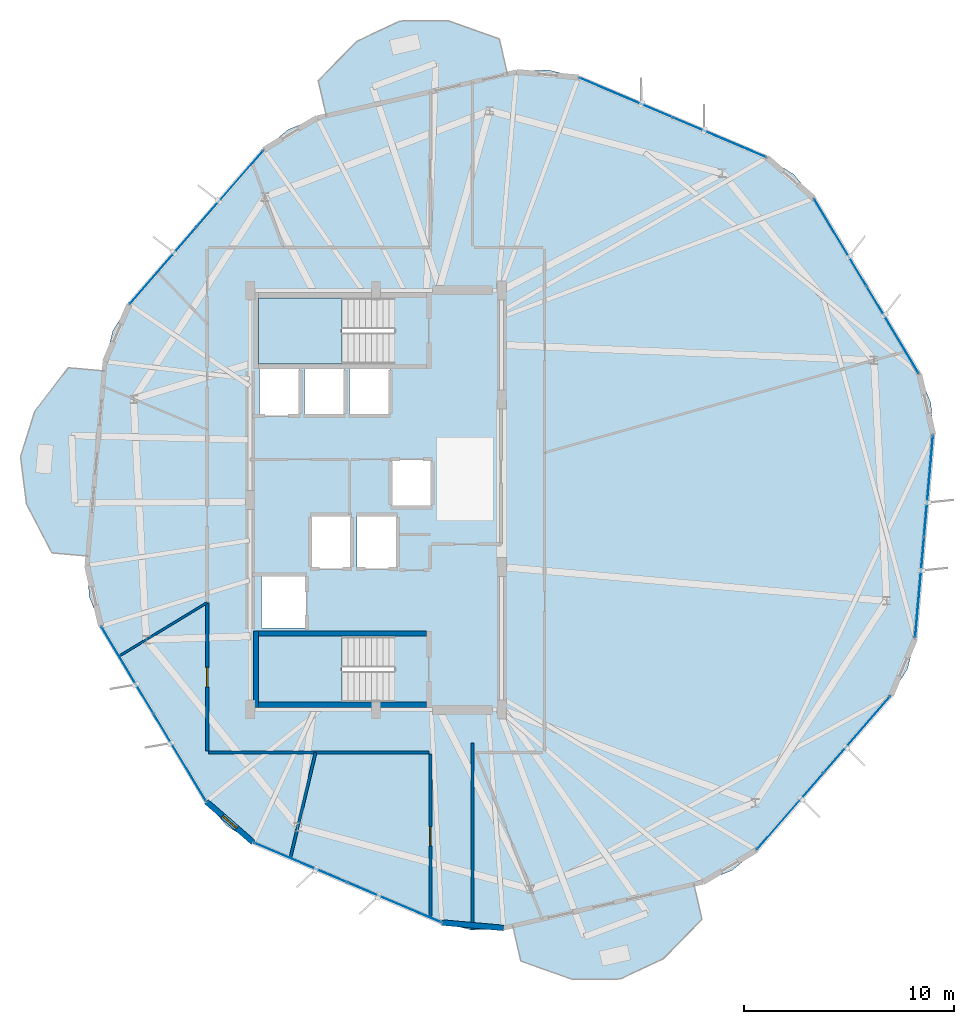
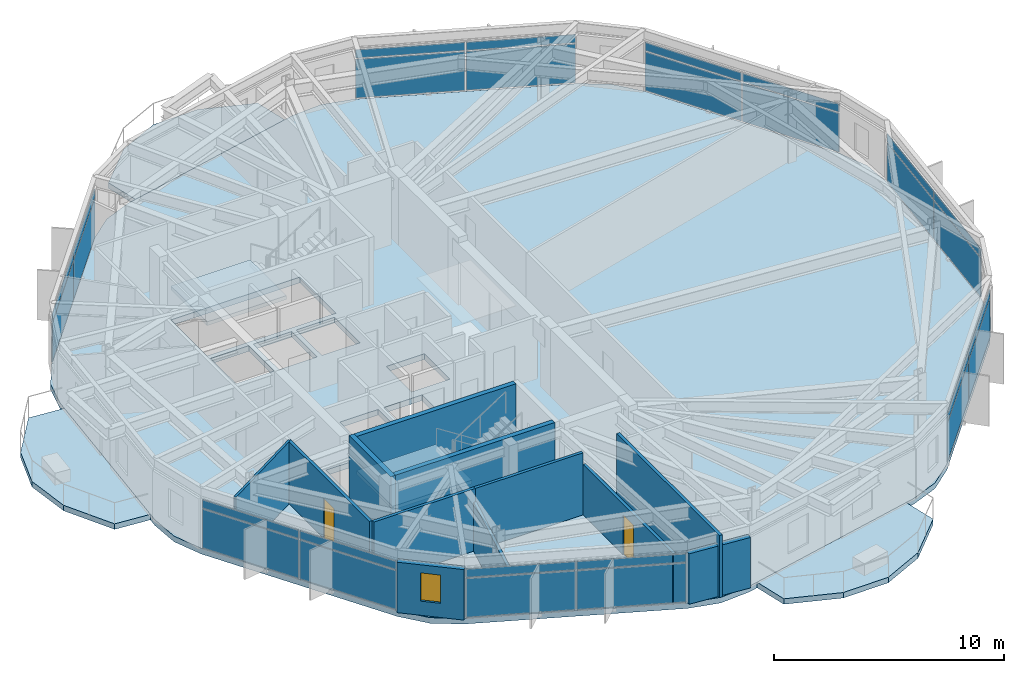
# One storey, part 21 of 27: 28 plates, 12 walls, 6 slabs, 2 doors, 1 window, 3 openings, 9 elements without a shape of their own.
"""IFC4 building model written with IfcOpenShell, lengths in metres."""

from ifc_helpers import new_model, si_unit, direction, frame, frame_2d, origin, origin_2d, place, context, subcontext, project, spatial, polyline, rectangle, outline, extrude, material, layer, layer_set, type_object, element, fill, aggregate, save


model = new_model("IFC4")

# Units and contexts
model_context = context("Model", 3, precision=1e-05, world=origin(), true_north=direction((0.0, 1.0)))
body_context = subcontext(model_context, "Body", "Model", "MODEL_VIEW")
ifc_project = project(units=[si_unit("LENGTHUNIT", "METRE"), si_unit("AREAUNIT", "SQUARE_METRE"), si_unit("VOLUMEUNIT", "CUBIC_METRE"), si_unit("PLANEANGLEUNIT", "RADIAN"), si_unit("MASSUNIT", "GRAM", prefix="KILO")], contexts=[model_context])

# Site, building, storey
site_placement = place(None, origin())
site = spatial("IfcSite", under=ifc_project, at=site_placement, CompositionType="ELEMENT")
building_placement = place(site_placement, origin())
building = spatial("IfcBuilding", under=site, at=building_placement, Name="Soratama Intermodal Tower", CompositionType="ELEMENT")
storey_placement = place(building_placement, frame((0.0, 0.0, 212.199951171875)))
storey = spatial("IfcBuildingStorey", under=building, at=storey_placement, Name="L53", CompositionType="ELEMENT", Elevation=212.199951171875)

# Curtain wall, plates
ifc_material_1 = material(Name="Double-glazed aluminium curtain wall", Category="aluminium")
ifc_layer_1 = layer(ifc_material_1, 0.159912109375)
ifc_layer_set_1 = layer_set([ifc_layer_1], Name="Double-glazed aluminium curtain wall")
curtain_wall_type = type_object("IfcCurtainWallType", Name="CW-SYS-5", PredefinedType="NOTDEFINED", material=ifc_layer_set_1)
curtain_wall_1_placement = place(storey_placement, origin())
curtain_wall_1 = element("IfcCurtainWall", 1, at=curtain_wall_1_placement, inside=storey, type_object=curtain_wall_type, Name="L53 Faceted Curtain Wall F01", PredefinedType="NOTDEFINED")
ifc_material_2 = material(Name="Low-E laminated double glazing", Category="glass")
ifc_layer_2 = layer(ifc_material_2, 0.02001953125)
ifc_layer_set_2 = layer_set([ifc_layer_2], Name="Low-E laminated double glazing")
plate_type = type_object("IfcPlateType", Name="PT-CWP-5", PredefinedType="CURTAIN_PANEL", material=ifc_layer_set_2)
plate_1_placement = place(storey_placement, frame((54.99560546875, 42.30078125, 0.06005859375), z_axis=(0.0, 0.0, 1.0), x_axis=(-0.920230657211, 0.391376465221, 0.0)))
plate_1 = element("IfcPlate", 2, at=plate_1_placement, type_object=plate_type, Name="CW-5 panel 1.1", PredefinedType="CURTAIN_PANEL", context=body_context, shape_type="SweptSolid", body=[
    extrude(rectangle(XDim=4.79443359375, YDim=0.028076171875, at=origin_2d()), origin(), (0.0, 0.0, 1.0), 2.06005859375),
])
plate_2_placement = place(storey_placement, frame((54.99560546875, 42.30078125, 2.18017578125), z_axis=(0.0, 0.0, 1.0), x_axis=(-0.920230657211, 0.391376465221, 0.0)))
plate_2 = element("IfcPlate", 3, at=plate_2_placement, type_object=plate_type, Name="CW-5 panel 1.2", PredefinedType="CURTAIN_PANEL", context=body_context, shape_type="SweptSolid", body=[
    extrude(rectangle(XDim=4.79443359375, YDim=0.028076171875, at=origin_2d()), origin(), (0.0, 0.0, 1.0), 0.43896484375),
])
plate_3_placement = place(storey_placement, frame((50.5283203125, 44.20068359375, 0.06005859375), z_axis=(0.0, 0.0, 1.0), x_axis=(-0.920230657211, 0.391376465221, 0.0)))
plate_3 = element("IfcPlate", 4, at=plate_3_placement, type_object=plate_type, Name="CW-5 panel 2.1", PredefinedType="CURTAIN_PANEL", context=body_context, shape_type="SweptSolid", body=[
    extrude(rectangle(XDim=4.79443359375, YDim=0.028076171875, at=origin_2d()), origin(), (0.0, 0.0, 1.0), 2.06005859375),
])
plate_4_placement = place(storey_placement, frame((50.5283203125, 44.20068359375, 2.18017578125), z_axis=(0.0, 0.0, 1.0), x_axis=(-0.920230657211, 0.391376465221, 0.0)))
plate_4 = element("IfcPlate", 5, at=plate_4_placement, type_object=plate_type, Name="CW-5 panel 2.2", PredefinedType="CURTAIN_PANEL", context=body_context, shape_type="SweptSolid", body=[
    extrude(rectangle(XDim=4.79443359375, YDim=0.028076171875, at=origin_2d()), origin(), (0.0, 0.0, 1.0), 0.43896484375),
])
aggregate(curtain_wall_1, [plate_1, plate_2, plate_3, plate_4])

curtain_wall_2_placement = place(storey_placement, origin())
curtain_wall_2 = element("IfcCurtainWall", 6, at=curtain_wall_2_placement, inside=storey, type_object=curtain_wall_type, Name="L53 Faceted Curtain Wall F03", PredefinedType="NOTDEFINED")
plate_5_placement = place(storey_placement, frame((31.634765625, 39.8525390625, 0.06005859375), z_axis=(0.0, 0.0, 1.0), x_axis=(-0.656584876768, -0.754252145903, 0.0)))
plate_5 = element("IfcPlate", 7, at=plate_5_placement, type_object=plate_type, Name="CW-5 panel 1.1", PredefinedType="CURTAIN_PANEL", context=body_context, shape_type="SweptSolid", body=[
    extrude(rectangle(XDim=4.79443359375, YDim=0.028076171875, at=origin_2d()), origin(), (0.0, 0.0, 1.0), 2.06005859375),
])
plate_6_placement = place(storey_placement, frame((31.634765625, 39.8525390625, 2.18017578125), z_axis=(0.0, 0.0, 1.0), x_axis=(-0.656584876768, -0.754252145903, 0.0)))
plate_6 = element("IfcPlate", 8, at=plate_6_placement, type_object=plate_type, Name="CW-5 panel 1.2", PredefinedType="CURTAIN_PANEL", context=body_context, shape_type="SweptSolid", body=[
    extrude(rectangle(XDim=4.79443359375, YDim=0.028076171875, at=origin_2d()), origin(), (0.0, 0.0, 1.0), 0.43896484375),
])
plate_7_placement = place(storey_placement, frame((28.447509765625, 36.191162109375, 0.06005859375), z_axis=(0.0, 0.0, 1.0), x_axis=(-0.656584876768, -0.754252145903, 0.0)))
plate_7 = element("IfcPlate", 9, at=plate_7_placement, type_object=plate_type, Name="CW-5 panel 2.1", PredefinedType="CURTAIN_PANEL", context=body_context, shape_type="SweptSolid", body=[
    extrude(rectangle(XDim=4.79443359375, YDim=0.028076171875, at=origin_2d()), origin(), (0.0, 0.0, 1.0), 2.06005859375),
])
plate_8_placement = place(storey_placement, frame((28.447509765625, 36.191162109375, 2.18017578125), z_axis=(0.0, 0.0, 1.0), x_axis=(-0.656584876768, -0.754252145903, 0.0)))
plate_8 = element("IfcPlate", 10, at=plate_8_placement, type_object=plate_type, Name="CW-5 panel 2.2", PredefinedType="CURTAIN_PANEL", context=body_context, shape_type="SweptSolid", body=[
    extrude(rectangle(XDim=4.79443359375, YDim=0.028076171875, at=origin_2d()), origin(), (0.0, 0.0, 1.0), 0.43896484375),
])
aggregate(curtain_wall_2, [plate_5, plate_6, plate_7, plate_8])

curtain_wall_3_placement = place(storey_placement, origin())
curtain_wall_3 = element("IfcCurtainWall", 11, at=curtain_wall_3_placement, inside=storey, type_object=curtain_wall_type, Name="L53 Faceted Curtain Wall F05", PredefinedType="NOTDEFINED")
plate_9_placement = place(storey_placement, frame((26.744140625, 16.878662109375, 0.06005859375), z_axis=(0.0, 0.0, 1.0), x_axis=(0.514438549948, -0.857527246406, 0.0)))
plate_9 = element("IfcPlate", 12, at=plate_9_placement, type_object=plate_type, Name="CW-5 panel 1.1", PredefinedType="CURTAIN_PANEL", context=body_context, shape_type="SweptSolid", body=[
    extrude(rectangle(XDim=4.79443359375, YDim=0.028076171875, at=origin_2d()), origin(), (0.0, 0.0, 1.0), 2.06005859375),
])
plate_10_placement = place(storey_placement, frame((26.744140625, 16.878662109375, 2.18017578125), z_axis=(0.0, 0.0, 1.0), x_axis=(0.514438549948, -0.857527246406, 0.0)))
plate_10 = element("IfcPlate", 13, at=plate_10_placement, type_object=plate_type, Name="CW-5 panel 1.2", PredefinedType="CURTAIN_PANEL", context=body_context, shape_type="SweptSolid", body=[
    extrude(rectangle(XDim=4.79443359375, YDim=0.028076171875, at=origin_2d()), origin(), (0.0, 0.0, 1.0), 0.43896484375),
])
plate_11_placement = place(storey_placement, frame((29.241455078125, 12.7158203125, 0.06005859375), z_axis=(0.0, 0.0, 1.0), x_axis=(0.514438549948, -0.857527246406, 0.0)))
plate_11 = element("IfcPlate", 14, at=plate_11_placement, type_object=plate_type, Name="CW-5 panel 2.1", PredefinedType="CURTAIN_PANEL", context=body_context, shape_type="SweptSolid", body=[
    extrude(rectangle(XDim=4.79443359375, YDim=0.028076171875, at=origin_2d()), origin(), (0.0, 0.0, 1.0), 2.06005859375),
])
plate_12_placement = place(storey_placement, frame((29.241455078125, 12.7158203125, 2.18017578125), z_axis=(0.0, 0.0, 1.0), x_axis=(0.514438549948, -0.857527246406, 0.0)))
plate_12 = element("IfcPlate", 15, at=plate_12_placement, type_object=plate_type, Name="CW-5 panel 2.2", PredefinedType="CURTAIN_PANEL", context=body_context, shape_type="SweptSolid", body=[
    extrude(rectangle(XDim=4.79443359375, YDim=0.028076171875, at=origin_2d()), origin(), (0.0, 0.0, 1.0), 0.43896484375),
])
aggregate(curtain_wall_3, [plate_9, plate_10, plate_11, plate_12])

curtain_wall_4_placement = place(storey_placement, origin())
curtain_wall_4 = element("IfcCurtainWall", 16, at=curtain_wall_4_placement, inside=storey, type_object=curtain_wall_type, Name="L53 Faceted Curtain Wall F06", PredefinedType="NOTDEFINED")
plate_13_placement = place(storey_placement, frame((35.00439453125, 7.69921875, 0.06005859375), z_axis=(0.0, 0.0, 1.0), x_axis=(0.920230657211, -0.391376465221, 0.0)))
plate_13 = element("IfcPlate", 17, at=plate_13_placement, type_object=plate_type, Name="CW-5 panel 1.1", PredefinedType="CURTAIN_PANEL", context=body_context, shape_type="SweptSolid", body=[
    extrude(rectangle(XDim=4.79443359375, YDim=0.028076171875, at=origin_2d()), origin(), (0.0, 0.0, 1.0), 2.06005859375),
])
plate_14_placement = place(storey_placement, frame((35.00439453125, 7.69921875, 2.18017578125), z_axis=(0.0, 0.0, 1.0), x_axis=(0.920230657211, -0.391376465221, 0.0)))
plate_14 = element("IfcPlate", 18, at=plate_14_placement, type_object=plate_type, Name="CW-5 panel 1.2", PredefinedType="CURTAIN_PANEL", context=body_context, shape_type="SweptSolid", body=[
    extrude(rectangle(XDim=4.79443359375, YDim=0.028076171875, at=origin_2d()), origin(), (0.0, 0.0, 1.0), 0.43896484375),
])
plate_15_placement = place(storey_placement, frame((39.4716796875, 5.79931640625, 0.06005859375), z_axis=(0.0, 0.0, 1.0), x_axis=(0.920230657211, -0.391376465221, 0.0)))
plate_15 = element("IfcPlate", 19, at=plate_15_placement, type_object=plate_type, Name="CW-5 panel 2.1", PredefinedType="CURTAIN_PANEL", context=body_context, shape_type="SweptSolid", body=[
    extrude(rectangle(XDim=4.79443359375, YDim=0.028076171875, at=origin_2d()), origin(), (0.0, 0.0, 1.0), 2.06005859375),
])
plate_16_placement = place(storey_placement, frame((39.4716796875, 5.79931640625, 2.18017578125), z_axis=(0.0, 0.0, 1.0), x_axis=(0.920230657211, -0.391376465221, 0.0)))
plate_16 = element("IfcPlate", 20, at=plate_16_placement, type_object=plate_type, Name="CW-5 panel 2.2", PredefinedType="CURTAIN_PANEL", context=body_context, shape_type="SweptSolid", body=[
    extrude(rectangle(XDim=4.79443359375, YDim=0.028076171875, at=origin_2d()), origin(), (0.0, 0.0, 1.0), 0.43896484375),
])
aggregate(curtain_wall_4, [plate_13, plate_14, plate_15, plate_16])

curtain_wall_5_placement = place(storey_placement, origin())
curtain_wall_5 = element("IfcCurtainWall", 21, at=curtain_wall_5_placement, inside=storey, type_object=curtain_wall_type, Name="L53 Faceted Curtain Wall F08", PredefinedType="NOTDEFINED")
plate_17_placement = place(storey_placement, frame((58.365234375, 10.1474609375, 0.06005859375), z_axis=(0.0, 0.0, 1.0), x_axis=(0.656584876768, 0.754252145903, 0.0)))
plate_17 = element("IfcPlate", 22, at=plate_17_placement, type_object=plate_type, Name="CW-5 panel 1.1", PredefinedType="CURTAIN_PANEL", context=body_context, shape_type="SweptSolid", body=[
    extrude(rectangle(XDim=4.79443359375, YDim=0.028076171875, at=origin_2d()), origin(), (0.0, 0.0, 1.0), 2.06005859375),
])
plate_18_placement = place(storey_placement, frame((58.365234375, 10.1474609375, 2.18017578125), z_axis=(0.0, 0.0, 1.0), x_axis=(0.656584876768, 0.754252145903, 0.0)))
plate_18 = element("IfcPlate", 23, at=plate_18_placement, type_object=plate_type, Name="CW-5 panel 1.2", PredefinedType="CURTAIN_PANEL", context=body_context, shape_type="SweptSolid", body=[
    extrude(rectangle(XDim=4.79443359375, YDim=0.028076171875, at=origin_2d()), origin(), (0.0, 0.0, 1.0), 0.43896484375),
])
plate_19_placement = place(storey_placement, frame((61.552490234375, 13.808837890625, 0.06005859375), z_axis=(0.0, 0.0, 1.0), x_axis=(0.656584876768, 0.754252145903, 0.0)))
plate_19 = element("IfcPlate", 24, at=plate_19_placement, type_object=plate_type, Name="CW-5 panel 2.1", PredefinedType="CURTAIN_PANEL", context=body_context, shape_type="SweptSolid", body=[
    extrude(rectangle(XDim=4.79443359375, YDim=0.028076171875, at=origin_2d()), origin(), (0.0, 0.0, 1.0), 2.06005859375),
])
plate_20_placement = place(storey_placement, frame((61.552490234375, 13.808837890625, 2.18017578125), z_axis=(0.0, 0.0, 1.0), x_axis=(0.656584876768, 0.754252145903, 0.0)))
plate_20 = element("IfcPlate", 25, at=plate_20_placement, type_object=plate_type, Name="CW-5 panel 2.2", PredefinedType="CURTAIN_PANEL", context=body_context, shape_type="SweptSolid", body=[
    extrude(rectangle(XDim=4.79443359375, YDim=0.028076171875, at=origin_2d()), origin(), (0.0, 0.0, 1.0), 0.43896484375),
])
aggregate(curtain_wall_5, [plate_17, plate_18, plate_19, plate_20])

curtain_wall_6_placement = place(storey_placement, origin())
curtain_wall_6 = element("IfcCurtainWall", 26, at=curtain_wall_6_placement, inside=storey, type_object=curtain_wall_type, Name="L53 Faceted Curtain Wall F09", PredefinedType="NOTDEFINED")
plate_21_placement = place(storey_placement, frame((64.54296875, 20.83984375, 0.06005859375), z_axis=(0.0, 0.0, 1.0), x_axis=(0.087850491382, 0.996133671333, 0.0)))
plate_21 = element("IfcPlate", 27, at=plate_21_placement, type_object=plate_type, Name="CW-5 panel 1.1", PredefinedType="CURTAIN_PANEL", context=body_context, shape_type="SweptSolid", body=[
    extrude(rectangle(XDim=4.79443359375, YDim=0.028076171875, at=origin_2d()), origin(), (0.0, 0.0, 1.0), 2.06005859375),
])
plate_22_placement = place(storey_placement, frame((64.54296875, 20.83984375, 2.18017578125), z_axis=(0.0, 0.0, 1.0), x_axis=(0.087850491382, 0.996133671333, 0.0)))
plate_22 = element("IfcPlate", 28, at=plate_22_placement, type_object=plate_type, Name="CW-5 panel 1.2", PredefinedType="CURTAIN_PANEL", context=body_context, shape_type="SweptSolid", body=[
    extrude(rectangle(XDim=4.79443359375, YDim=0.028076171875, at=origin_2d()), origin(), (0.0, 0.0, 1.0), 0.43896484375),
])
plate_23_placement = place(storey_placement, frame((64.96923828125, 25.675537109375, 0.06005859375), z_axis=(0.0, 0.0, 1.0), x_axis=(0.087850491382, 0.996133671333, 0.0)))
plate_23 = element("IfcPlate", 29, at=plate_23_placement, type_object=plate_type, Name="CW-5 panel 2.1", PredefinedType="CURTAIN_PANEL", context=body_context, shape_type="SweptSolid", body=[
    extrude(rectangle(XDim=4.79443359375, YDim=0.028076171875, at=origin_2d()), origin(), (0.0, 0.0, 1.0), 2.06005859375),
])
plate_24_placement = place(storey_placement, frame((64.96923828125, 25.675537109375, 2.18017578125), z_axis=(0.0, 0.0, 1.0), x_axis=(0.087850491382, 0.996133671333, 0.0)))
plate_24 = element("IfcPlate", 30, at=plate_24_placement, type_object=plate_type, Name="CW-5 panel 2.2", PredefinedType="CURTAIN_PANEL", context=body_context, shape_type="SweptSolid", body=[
    extrude(rectangle(XDim=4.79443359375, YDim=0.028076171875, at=origin_2d()), origin(), (0.0, 0.0, 1.0), 0.43896484375),
])
aggregate(curtain_wall_6, [plate_21, plate_22, plate_23, plate_24])

curtain_wall_7_placement = place(storey_placement, origin())
curtain_wall_7 = element("IfcCurtainWall", 31, at=curtain_wall_7_placement, inside=storey, type_object=curtain_wall_type, Name="L53 Faceted Curtain Wall F10", PredefinedType="NOTDEFINED")
plate_25_placement = place(storey_placement, frame((63.255859375, 33.121337890625, 0.06005859375), z_axis=(0.0, 0.0, 1.0), x_axis=(-0.514438549948, 0.857527246406, 0.0)))
plate_25 = element("IfcPlate", 32, at=plate_25_placement, type_object=plate_type, Name="CW-5 panel 1.1", PredefinedType="CURTAIN_PANEL", context=body_context, shape_type="SweptSolid", body=[
    extrude(rectangle(XDim=4.79443359375, YDim=0.028076171875, at=origin_2d()), origin(), (0.0, 0.0, 1.0), 2.06005859375),
])
plate_26_placement = place(storey_placement, frame((63.255859375, 33.121337890625, 2.18017578125), z_axis=(0.0, 0.0, 1.0), x_axis=(-0.514438549948, 0.857527246406, 0.0)))
plate_26 = element("IfcPlate", 33, at=plate_26_placement, type_object=plate_type, Name="CW-5 panel 1.2", PredefinedType="CURTAIN_PANEL", context=body_context, shape_type="SweptSolid", body=[
    extrude(rectangle(XDim=4.79443359375, YDim=0.028076171875, at=origin_2d()), origin(), (0.0, 0.0, 1.0), 0.43896484375),
])
plate_27_placement = place(storey_placement, frame((60.758544921875, 37.2841796875, 0.06005859375), z_axis=(0.0, 0.0, 1.0), x_axis=(-0.514438549948, 0.857527246406, 0.0)))
plate_27 = element("IfcPlate", 34, at=plate_27_placement, type_object=plate_type, Name="CW-5 panel 2.1", PredefinedType="CURTAIN_PANEL", context=body_context, shape_type="SweptSolid", body=[
    extrude(rectangle(XDim=4.79443359375, YDim=0.028076171875, at=origin_2d()), origin(), (0.0, 0.0, 1.0), 2.06005859375),
])
plate_28_placement = place(storey_placement, frame((60.758544921875, 37.2841796875, 2.18017578125), z_axis=(0.0, 0.0, 1.0), x_axis=(-0.514438549948, 0.857527246406, 0.0)))
plate_28 = element("IfcPlate", 35, at=plate_28_placement, type_object=plate_type, Name="CW-5 panel 2.2", PredefinedType="CURTAIN_PANEL", context=body_context, shape_type="SweptSolid", body=[
    extrude(rectangle(XDim=4.79443359375, YDim=0.028076171875, at=origin_2d()), origin(), (0.0, 0.0, 1.0), 0.43896484375),
])
aggregate(curtain_wall_7, [plate_25, plate_26, plate_27, plate_28])

# Slabs
ifc_material_3 = material(Name="Concrete f'c 42 MPa", Category="concrete")
ifc_layer_3 = layer(ifc_material_3, 0.2900390625)
ifc_layer_set_3 = layer_set([ifc_layer_3], Name="Concrete f'c 42 MPa")
slab_type_1 = type_object("IfcSlabType", Name="SL-EXT-BAL2", PredefinedType="FLOOR", material=ifc_layer_set_3)
slab_1_placement = place(storey_placement, frame((0.0, 0.0, -0.2900390625)))
element("IfcSlab", 36, at=slab_1_placement, inside=storey, type_object=slab_type_1, Name="L53 Planted Balcony North 1", PredefinedType="FLOOR", context=body_context, shape_type="SweptSolid", body=[
    extrude(outline(polyline([(44.87353515625, 45.322021484375), (36.230712890625, 43.3330078125), (35.844970703125, 45.00927734375), (37.688232421875, 46.885498046875), (39.740234375, 47.855224609375), (42.009765625, 47.880126953125), (44.48779296875, 46.998291015625), (44.87353515625, 45.322021484375)])), origin(), (0.0, 0.0, 1.0), 0.2900390625),
])
slab_2_placement = place(storey_placement, frame((0.0, 0.0, -0.2900390625)))
element("IfcSlab", 37, at=slab_2_placement, inside=storey, type_object=slab_type_1, Name="L53 Planted Balcony West 2", PredefinedType="FLOOR", context=body_context, shape_type="SweptSolid", body=[
    extrude(outline(polyline([(25.633544921875, 31.15966796875), (24.854248046875, 22.3251953125), (23.14111328125, 22.476318359375), (21.926025390625, 24.80908203125), (21.637939453125, 27.060302734375), (22.315673828125, 29.226318359375), (23.920166015625, 31.310791015625), (25.633544921875, 31.15966796875)])), origin(), (0.0, 0.0, 1.0), 0.2900390625),
])
slab_3_placement = place(storey_placement, frame((0.0, 0.0, -0.2900390625)))
element("IfcSlab", 38, at=slab_3_placement, inside=storey, type_object=slab_type_1, Name="L53 Planted Balcony South 3", PredefinedType="FLOOR", context=body_context, shape_type="SweptSolid", body=[
    extrude(outline(polyline([(45.12646484375, 4.677978515625), (53.769287109375, 6.6669921875), (54.155029296875, 4.99072265625), (52.311767578125, 3.114501953125), (50.259765625, 2.144775390625), (47.990234375, 2.119873046875), (45.51220703125, 3.001708984375), (45.12646484375, 4.677978515625)])), origin(), (0.0, 0.0, 1.0), 0.2900390625),
])

# Stair, slab
ifc_material_4 = material(Name="Concrete f'c 42 MPa", Category="concrete")
stair_type = type_object("IfcStairType", Name="ST-CORE-DOGLEG", PredefinedType="HALF_TURN_STAIR", material=ifc_material_4)
stair_1_placement = place(storey_placement, origin())
stair_1 = element("IfcStair", 39, at=stair_1_placement, inside=storey, type_object=stair_type, Name="L53 ST-1", PredefinedType="HALF_TURN_STAIR")
ifc_material_5 = material(Name="Concrete f'c 42 MPa", Category="concrete")
ifc_layer_4 = layer(ifc_material_5, 0.219970703125)
ifc_layer_set_4 = layer_set([ifc_layer_4], Name="Concrete f'c 42 MPa")
slab_type_2 = type_object("IfcSlabType", Name="SL-STAIR-LAND", PredefinedType="LANDING", material=ifc_layer_set_4)
slab_4_placement = place(storey_placement, frame((0.0, 0.0, 1.60009765625)))
slab_4 = element("IfcSlab", 40, at=slab_4_placement, type_object=slab_type_2, Name="ST-1 landing 1", PredefinedType="LANDING", context=body_context, shape_type="SweptSolid", body=[
    extrude(outline(polyline([(36.97998046875, 18.5), (33.0, 18.5), (33.0, 15.35009765625), (36.97998046875, 15.35009765625), (36.97998046875, 18.5)])), origin(), (0.0, 0.0, 1.0), 0.199951171875),
])
aggregate(stair_1, [slab_4])

stair_2_placement = place(storey_placement, origin())
stair_2 = element("IfcStair", 41, at=stair_2_placement, inside=storey, type_object=stair_type, Name="L53 ST-2", PredefinedType="HALF_TURN_STAIR")
slab_5_placement = place(storey_placement, frame((0.0, 0.0, 1.60009765625)))
slab_5 = element("IfcSlab", 42, at=slab_5_placement, type_object=slab_type_2, Name="ST-2 landing 1", PredefinedType="LANDING", context=body_context, shape_type="SweptSolid", body=[
    extrude(outline(polyline([(36.97998046875, 34.64990234375), (33.0, 34.64990234375), (33.0, 31.5), (36.97998046875, 31.5), (36.97998046875, 34.64990234375)])), origin(), (0.0, 0.0, 1.0), 0.199951171875),
])
aggregate(stair_2, [slab_5])

# Slab
ifc_material_6 = material(Name="Concrete f'c 42 MPa", Category="concrete")
ifc_layer_5 = layer(ifc_material_6, 0.280029296875)
ifc_layer_set_5 = layer_set([ifc_layer_5], Name="Concrete f'c 42 MPa")
slab_type_3 = type_object("IfcSlabType", Name="SL-TWR-280", PredefinedType="FLOOR", material=ifc_layer_set_5)
slab_6_placement = place(storey_placement, frame((0.0, 0.0, -0.300048828125)))
element("IfcSlab", 43, at=slab_6_placement, inside=storey, type_object=slab_type_3, Name="L53 Structural Floor Slab", PredefinedType="FLOOR", context=body_context, shape_type="SweptSolid", body=[
    extrude(outline(polyline([(59.494384765625, 39.391357421875), (58.52978515625, 40.54248046875), (57.2568359375, 41.339111328125), (48.26708984375, 45.162353515625), (46.810302734375, 45.526611328125), (45.31201171875, 45.423095703125), (35.7919921875, 43.232177734375), (34.3994140625, 42.67041015625), (33.248291015625, 41.7060546875), (26.833984375, 34.337890625), (26.037353515625, 33.064697265625), (25.673095703125, 31.60791015625), (24.814697265625, 21.876708984375), (24.91845703125, 20.378662109375), (25.47998046875, 18.98583984375), (30.505615234375, 10.608642578125), (31.47021484375, 9.45751953125), (32.7431640625, 8.660888671875), (41.73291015625, 4.837646484375), (43.189697265625, 4.473388671875), (44.68798828125, 4.576904296875), (54.2080078125, 6.767822265625), (55.6005859375, 7.32958984375), (56.751708984375, 8.2939453125), (63.166015625, 15.662109375), (63.962646484375, 16.935302734375), (64.326904296875, 18.39208984375), (65.185302734375, 28.123291015625), (65.08154296875, 29.621337890625), (64.52001953125, 31.01416015625), (59.494384765625, 39.391357421875)]), holes=[polyline([(33.0, 18.5), (33.0, 15.35009765625), (39.47509765625, 15.35009765625), (39.47509765625, 18.5), (33.0, 18.5)]), polyline([(35.260009765625, 21.409912109375), (33.139892578125, 21.409912109375), (33.139892578125, 18.889892578125), (35.260009765625, 18.889892578125), (35.260009765625, 21.409912109375)]), polyline([(37.409912109375, 24.260009765625), (35.489990234375, 24.260009765625), (35.489990234375, 21.739990234375), (37.409912109375, 21.739990234375), (37.409912109375, 24.260009765625)]), polyline([(39.610107421875, 24.260009765625), (37.68994140625, 24.260009765625), (37.68994140625, 21.739990234375), (39.610107421875, 21.739990234375), (39.610107421875, 24.260009765625)]), polyline([(41.260009765625, 26.909912109375), (39.340087890625, 26.909912109375), (39.340087890625, 24.68994140625), (41.260009765625, 24.68994140625), (41.260009765625, 26.909912109375)]), polyline([(34.9599609375, 31.260009765625), (33.0400390625, 31.260009765625), (33.0400390625, 29.0400390625), (34.9599609375, 29.0400390625), (34.9599609375, 31.260009765625)]), polyline([(37.110107421875, 31.260009765625), (35.18994140625, 31.260009765625), (35.18994140625, 29.0400390625), (37.110107421875, 29.0400390625), (37.110107421875, 31.260009765625)]), polyline([(39.260009765625, 29.0400390625), (39.260009765625, 31.260009765625), (37.340087890625, 31.260009765625), (37.340087890625, 29.0400390625), (39.260009765625, 29.0400390625)]), polyline([(39.47509765625, 34.64990234375), (33.0, 34.64990234375), (33.0, 31.5), (39.47509765625, 31.5), (39.47509765625, 34.64990234375)])]), origin(), (0.0, 0.0, 1.0), 0.300048828125),
])

# Wall, opening, window
ifc_material_7 = material(Name="Concrete f'c 42 MPa", Category="concrete")
ifc_layer_6 = layer(ifc_material_7, 0.27001953125)
ifc_layer_set_6 = layer_set([ifc_layer_6], Name="Concrete f'c 42 MPa")
wall_type_1 = type_object("IfcWallType", Name="EW-CRN-270", PredefinedType="SOLIDWALL", material=ifc_layer_set_6)
wall_1_placement = place(storey_placement, frame((30.505615234375, 10.608642578125, 0.0), z_axis=(0.0, 0.0, 1.0), x_axis=(0.754261698008, -0.656573903623, 0.0)))
wall_1 = element("IfcWall", 44, at=wall_1_placement, inside=storey, type_object=wall_type_1, Name="L53 Corner Closure Wall 05", PredefinedType="SOLIDWALL", context=body_context, shape_type="SweptSolid", body=[
    extrude(rectangle(XDim=2.966552734375, YDim=0.27001953125, at=frame_2d((1.4833984375, 0.0))), origin(), (0.0, 0.0, 1.0), 2.678955078125),
])
opening_1_placement = place(wall_1_placement, frame((1.033203125, 0.0, 0.75)))
opening_1 = element("IfcOpeningElement", 45, at=opening_1_placement, cuts=wall_1, Name="Opening WN-6", PredefinedType="OPENING", context=body_context, shape_type="SweptSolid", body=[
    extrude(rectangle(XDim=0.89990234375, YDim=1.5, at=frame_2d((0.449951171875, 0.75))), frame((0.0, 0.14501953125, 0.0), z_axis=(0.0, -1.0, 0.0), x_axis=(1.0, 0.0, 0.0)), (0.0, 0.0, 1.0), 0.2900390625),
])
ifc_material_8 = material(Name="Double-glazed aluminium window", Category="aluminium")
window_type = type_object("IfcWindowType", Name="WN-FAC-900", PartitioningType="SINGLE_PANEL", PredefinedType="WINDOW", material=ifc_material_8)
window_placement = place(opening_1_placement, origin())
window = element("IfcWindow", 46, at=window_placement, inside=storey, type_object=window_type, Name="L53 Corner Window 05", OverallHeight=1.5, OverallWidth=0.89990234375, PartitioningType="SINGLE_PANEL", PredefinedType="WINDOW", context=body_context, shape_type="SweptSolid", body=[
    extrude(rectangle(XDim=0.89990234375, YDim=1.5, at=frame_2d((0.449951171875, 0.75))), frame((0.0, 0.030029296875, 0.0), z_axis=(0.0, -1.0, 0.0), x_axis=(1.0, 0.0, 0.0)), (0.0, 0.0, 1.0), 0.06005859375),
])
fill(opening_1, window)

# Wall
wall_2_placement = place(storey_placement, frame((41.73291015625, 4.837646484375, 0.0), z_axis=(0.0, 0.0, 1.0), x_axis=(0.996129850025, -0.087893810296, 0.0)))
element("IfcWall", 47, at=wall_2_placement, inside=storey, type_object=wall_type_1, Name="L53 Corner Closure Wall 06", PredefinedType="SOLIDWALL", context=body_context, shape_type="SweptSolid", body=[
    extrude(rectangle(XDim=2.966552734375, YDim=0.27001953125, at=frame_2d((1.4833984375, 0.0))), origin(), (0.0, 0.0, 1.0), 2.678955078125),
])

# Wall, opening, door
ifc_material_9 = material(Name="Fire-rated gypsum stud partition", Category="concrete")
ifc_layer_7 = layer(ifc_material_9, 0.14990234375)
ifc_layer_set_7 = layer_set([ifc_layer_7], Name="Fire-rated gypsum stud partition")
wall_type_2 = type_object("IfcWallType", Name="IW-PART-R150", PredefinedType="PARTITIONING", material=ifc_layer_set_7)
wall_3_placement = place(storey_placement, frame((41.199951171875, 5.06396484375, 0.0), z_axis=(0.0, 0.0, 1.0), x_axis=(0.0, 1.0, 0.0)))
wall_3 = element("IfcWall", 48, at=wall_3_placement, inside=storey, type_object=wall_type_2, Name="L53 Partition W-L53-TP007", PredefinedType="PARTITIONING", context=body_context, shape_type="SweptSolid", body=[
    extrude(rectangle(XDim=7.81591796875, YDim=0.14990234375, at=frame_2d((3.907958984375, 0.0))), origin(), (0.0, 0.0, 1.0), 2.677978515625),
])
opening_2_placement = place(wall_3_placement, frame((3.43310546875, 0.0, 0.0)))
opening_2 = element("IfcOpeningElement", 49, at=opening_2_placement, cuts=wall_3, Name="Opening ID-6", PredefinedType="OPENING", context=body_context, shape_type="SweptSolid", body=[
    extrude(rectangle(XDim=0.919921875, YDim=2.1201171875, at=frame_2d((0.4599609375, 1.06005859375))), frame((0.0, 0.0849609375, 0.0), z_axis=(0.0, -1.0, 0.0), x_axis=(1.0, 0.0, 0.0)), (0.0, 0.0, 1.0), 0.169921875),
])
ifc_material_10 = material(Name="Solid hardwood acoustic door", Category="wood")
door_type = type_object("IfcDoorType", Name="DR-ROOM-920", OperationType="NOTDEFINED", PredefinedType="DOOR", material=ifc_material_10)
door_1_placement = place(opening_2_placement, origin())
door_1 = element("IfcDoor", 50, at=door_1_placement, inside=storey, type_object=door_type, Name="L53 Door D-L53-TP004", OperationType="SINGLE_SWING_LEFT", OverallHeight=2.1201171875, OverallWidth=0.919921875, PredefinedType="DOOR", context=body_context, shape_type="SweptSolid", body=[
    extrude(rectangle(XDim=0.919921875, YDim=2.1201171875, at=frame_2d((0.4599609375, 1.06005859375))), frame((0.0, 0.02490234375, 0.0), z_axis=(0.0, -1.0, 0.0), x_axis=(1.0, 0.0, 0.0)), (0.0, 0.0, 1.0), 0.050048828125),
])
fill(opening_2, door_1)

wall_4_placement = place(storey_placement, frame((30.550048828125, 13.02001953125, 0.0), z_axis=(0.0, 0.0, 1.0), x_axis=(0.0, 1.0, 0.0)))
wall_4 = element("IfcWall", 51, at=wall_4_placement, inside=storey, type_object=wall_type_2, Name="L53 Partition W-L53-TP009", PredefinedType="PARTITIONING", context=body_context, shape_type="SweptSolid", body=[
    extrude(rectangle(XDim=7.0859375, YDim=0.14990234375, at=frame_2d((3.54296875, 0.0))), origin(), (0.0, 0.0, 1.0), 3.300048828125),
])
opening_3_placement = place(wall_4_placement, frame((3.068115234375, 0.0, 0.0)))
opening_3 = element("IfcOpeningElement", 52, at=opening_3_placement, cuts=wall_4, Name="Opening ID-6", PredefinedType="OPENING", context=body_context, shape_type="SweptSolid", body=[
    extrude(rectangle(XDim=0.919921875, YDim=2.1201171875, at=frame_2d((0.4599609375, 1.06005859375))), frame((0.0, 0.0849609375, 0.0), z_axis=(0.0, -1.0, 0.0), x_axis=(1.0, 0.0, 0.0)), (0.0, 0.0, 1.0), 0.169921875),
])
door_2_placement = place(opening_3_placement, origin())
door_2 = element("IfcDoor", 53, at=door_2_placement, inside=storey, type_object=door_type, Name="L53 Door D-L53-TP006", OperationType="SINGLE_SWING_LEFT", OverallHeight=2.1201171875, OverallWidth=0.919921875, PredefinedType="DOOR", context=body_context, shape_type="SweptSolid", body=[
    extrude(rectangle(XDim=0.919921875, YDim=2.1201171875, at=frame_2d((0.4599609375, 1.06005859375))), frame((0.0, 0.02490234375, 0.0), z_axis=(0.0, -1.0, 0.0), x_axis=(1.0, 0.0, 0.0)), (0.0, 0.0, 1.0), 0.050048828125),
])
fill(opening_3, door_2)

# Walls
wall_5_placement = place(storey_placement, frame((41.1298828125, 12.949951171875, 0.0), z_axis=(0.0, 0.0, 1.0), x_axis=(-1.0, 0.0, 0.0)))
element("IfcWall", 54, at=wall_5_placement, inside=storey, type_object=wall_type_2, Name="L53 Partition W-L53-TP012", PredefinedType="PARTITIONING", context=body_context, shape_type="SweptSolid", body=[
    extrude(rectangle(XDim=5.410888671875, YDim=0.14990234375, at=frame_2d((2.70556640625, 0.0))), origin(), (0.0, 0.0, 1.0), 3.300048828125),
])
wall_6_placement = place(storey_placement, frame((35.718994140625, 12.949951171875, 0.0), z_axis=(0.0, 0.0, 1.0), x_axis=(-1.0, 0.0, 0.0)))
element("IfcWall", 55, at=wall_6_placement, inside=storey, type_object=wall_type_2, Name="L53 Partition W-L53-TP015", PredefinedType="PARTITIONING", context=body_context, shape_type="SweptSolid", body=[
    extrude(rectangle(XDim=5.098876953125, YDim=0.14990234375, at=frame_2d((2.54931640625, 0.0))), origin(), (0.0, 0.0, 1.0), 3.300048828125),
])
wall_7_placement = place(storey_placement, frame((43.199951171875, 13.410888671875, 0.0), z_axis=(0.0, 0.0, 1.0), x_axis=(0.0, -1.0, 0.0)))
element("IfcWall", 56, at=wall_7_placement, inside=storey, type_object=wall_type_2, Name="L53 Partition W-L53-TP030", PredefinedType="PARTITIONING", context=body_context, shape_type="SweptSolid", body=[
    extrude(rectangle(XDim=8.936767578125, YDim=0.14990234375, at=frame_2d((4.46826171875, 0.0))), origin(), (0.0, 0.0, 1.0), 3.300048828125),
])
ifc_material_11 = material(Name="Fire-rated gypsum stud partition", Category="concrete")
ifc_layer_8 = layer(ifc_material_11, 0.110107421875)
ifc_layer_set_8 = layer_set([ifc_layer_8], Name="Fire-rated gypsum stud partition")
wall_type_3 = type_object("IfcWallType", Name="IW-PART-S110", PredefinedType="PARTITIONING", material=ifc_layer_set_8)
wall_8_placement = place(storey_placement, frame((30.550048828125, 20.10595703125, 0.0), z_axis=(0.0, 0.0, 1.0), x_axis=(-0.854463677574, -0.519511139156, 0.0)))
element("IfcWall", 57, at=wall_8_placement, inside=storey, type_object=wall_type_3, Name="L53 Partition W-L53-TP017", PredefinedType="PARTITIONING", context=body_context, shape_type="SweptSolid", body=[
    extrude(rectangle(XDim=4.923583984375, YDim=0.110107421875, at=frame_2d((2.4619140625, 0.0))), origin(), (0.0, 0.0, 1.0), 3.300048828125),
])
ifc_material_12 = material(Name="Fire-rated gypsum stud partition", Category="concrete")
ifc_layer_9 = layer(ifc_material_12, 0.139892578125)
ifc_layer_set_9 = layer_set([ifc_layer_9], Name="Fire-rated gypsum stud partition")
wall_type_4 = type_object("IfcWallType", Name="IW-PART-S140", PredefinedType="PARTITIONING", material=ifc_layer_set_9)
wall_9_placement = place(storey_placement, frame((35.718994140625, 12.949951171875, 0.0), z_axis=(0.0, 0.0, 1.0), x_axis=(-0.23263906279, -0.972563142662, 0.0)))
element("IfcWall", 58, at=wall_9_placement, inside=storey, type_object=wall_type_4, Name="L53 Partition W-L53-TP014", PredefinedType="PARTITIONING", context=body_context, shape_type="SweptSolid", body=[
    extrude(rectangle(XDim=5.184326171875, YDim=0.139892578125, at=frame_2d((2.59228515625, 0.0))), origin(), (0.0, 0.0, 1.0), 2.594970703125),
])
ifc_material_13 = material(Name="Concrete f'c 56 MPa", Category="concrete")
ifc_layer_10 = layer(ifc_material_13, 0.239990234375)
ifc_layer_set_10 = layer_set([ifc_layer_10], Name="Concrete f'c 56 MPa")
wall_type_5 = type_object("IfcWallType", Name="SW-STAIR-240", PredefinedType="SHEAR", material=ifc_layer_set_10)
wall_10_placement = place(storey_placement, frame((32.8798828125, 15.110107421875, 0.0), z_axis=(0.0, 0.0, 1.0), x_axis=(0.0, 1.0, 0.0)))
element("IfcWall", 59, at=wall_10_placement, inside=storey, type_object=wall_type_5, Name="L53 ST-1 Shaft Shear Wall W", PredefinedType="SHEAR", context=body_context, shape_type="SweptSolid", body=[
    extrude(rectangle(XDim=3.6298828125, YDim=0.239990234375, at=frame_2d((1.81494140625, 0.0))), origin(), (0.0, 0.0, 1.0), 3.60009765625),
])
for number, where, z_axis, x_axis, name in (
    (60, (33.0, 15.22998046875, 0.0), (0.0, 0.0, 1.0), (1.0, 0.0, 0.0), "L53 ST-1 Shaft Shear Wall S"),
    (61, (33.0, 18.6201171875, 0.0), (0.0, 0.0, 1.0), (1.0, 0.0, 0.0), "L53 ST-1 Shaft Shear Wall N"),
):
    element("IfcWall", number, at=place(storey_placement, frame(where, z_axis=z_axis, x_axis=x_axis)), inside=storey, type_object=wall_type_5, Name=name, PredefinedType="SHEAR", context=body_context, shape_type="SweptSolid", body=[
        extrude(rectangle(XDim=8.0, YDim=0.239990234375, at=frame_2d((4.0, 0.0))), origin(), (0.0, 0.0, 1.0), 3.60009765625),
    ])

save(model, "model.ifc")
